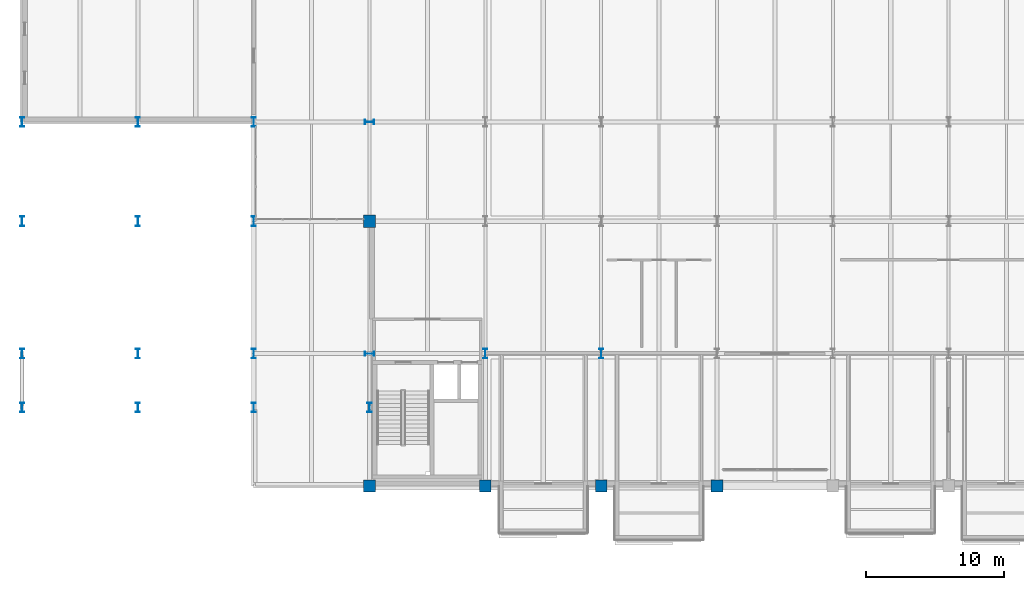
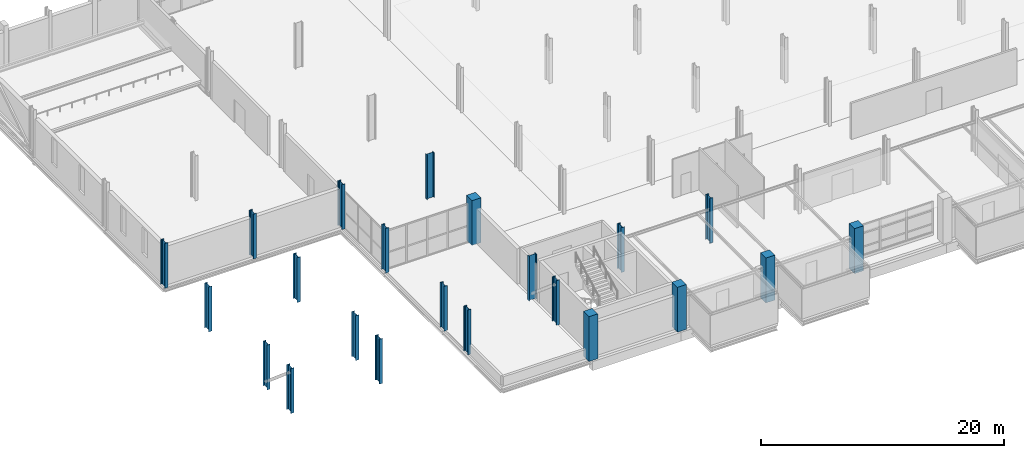
# One storey, part 1 of 113: 22 columns.
"""IFC4 building model written with IfcOpenShell, lengths in metres."""

from ifc_helpers import new_model, si_unit, direction, frame, origin, origin_2d, place, context, subcontext, project, spatial, rectangle, i_section, extrude, material, material_profile, profile_set, type_object, element, save


model = new_model("IFC4")

# Units and contexts
model_context = context("Model", 3, precision=1e-05, world=origin(), true_north=direction((0.0, 1.0)))
body_context = subcontext(model_context, "Body", "Model", "MODEL_VIEW")
ifc_project = project(units=[si_unit("LENGTHUNIT", "METRE"), si_unit("AREAUNIT", "SQUARE_METRE"), si_unit("VOLUMEUNIT", "CUBIC_METRE"), si_unit("PLANEANGLEUNIT", "RADIAN"), si_unit("MASSUNIT", "GRAM", prefix="KILO")], contexts=[model_context])

# Site, building, storey
site_placement = place(None, origin())
site = spatial("IfcSite", under=ifc_project, at=site_placement, CompositionType="ELEMENT")
building_placement = place(site_placement, origin())
building = spatial("IfcBuilding", under=site, at=building_placement, Name="Veltarok Museum of Natural Sciences", CompositionType="ELEMENT")
storey_placement = place(building_placement, frame((0.0, 0.0, 8.39990234375)))
storey = spatial("IfcBuildingStorey", under=building, at=storey_placement, Name="L01", CompositionType="ELEMENT", Elevation=8.39990234375)

# Columns
ifc_material_1 = material(Name="Concrete C40/50", Category="concrete")
ifc_material_profile_1 = material_profile(ifc_material_1, rectangle(XDim=0.85009765625, YDim=0.89990234375, at=origin_2d()), Name="RC 850x900")
ifc_profile_set_1 = profile_set([ifc_material_profile_1], Name="Concrete C40/50")
column_type_1 = type_object("IfcColumnType", Name="Exposed Cabinet Grid Column RC 850x900", PredefinedType="COLUMN", material=ifc_profile_set_1)
for number, where, z_axis, x_axis, name in (
    (1, (31.60009765625, 0.0, 0.0), (0.0, 0.0, 1.0), (1.0, 0.0, 0.0), "Column COL-CAB01 L01 4/A"),
    (2, (31.60009765625, 19.199951171875, 0.0), (0.0, 0.0, 1.0), (1.0, 0.0, 0.0), "Column COL-CAB01 L01 4/C"),
    (3, (40.0, 0.0, 0.0), (0.0, 0.0, 1.0), (1.0, 0.0, 0.0), "Column COL-CAB01 L01 5/A"),
    (4, (48.39990234375, 0.0, 0.0), (0.0, 0.0, 1.0), (1.0, 0.0, 0.0), "Column COL-CAB01 L01 6/A"),
    (5, (56.800048828125, 0.0, 0.0), (0.0, 0.0, 1.0), (1.0, 0.0, 0.0), "Column COL-CAB01 L01 7/A"),
):
    element("IfcColumn", number, at=place(storey_placement, frame(where, z_axis=z_axis, x_axis=x_axis)), inside=storey, type_object=column_type_1, Name=name, PredefinedType="COLUMN", context=body_context, shape_type="SweptSolid", body=[
        extrude(rectangle(XDim=0.85009765625, YDim=0.89990234375, at=origin_2d()), origin(), (0.0, 0.0, 1.0), 4.5),
    ])
ifc_material_2 = material(Name="Steel S355J2", Category="steel")
ifc_material_profile_2 = material_profile(ifc_material_2, i_section(OverallWidth=0.300048828125, OverallDepth=0.699951171875, WebThickness=0.01708984375, FlangeThickness=0.031982421875, FilletRadius=0.027099609375, at=origin_2d()), Name="HEB 700")
ifc_profile_set_2 = profile_set([ifc_material_profile_2], Name="Steel S355J2")
column_type_2 = type_object("IfcColumnType", Name="Mid-Rise Frame Column HEB 700", PredefinedType="COLUMN", material=ifc_profile_set_2)
for number, where, z_axis, x_axis, name in (
    (6, (31.60009765625, 26.39990234375, 0.0), (0.0, 0.0, 1.0), (0.0, 1.0, 0.0), "Column COL-S03 L01 4/D"),
    (7, (40.0, 9.60009765625, 0.0), (0.0, 0.0, 1.0), (1.0, 0.0, 0.0), "Column COL-S03 L01 5/B"),
    (8, (48.39990234375, 9.60009765625, 0.0), (0.0, 0.0, 1.0), (1.0, 0.0, 0.0), "Column COL-S03 L01 6/B"),
):
    element("IfcColumn", number, at=place(storey_placement, frame(where, z_axis=z_axis, x_axis=x_axis)), inside=storey, type_object=column_type_2, Name=name, PredefinedType="COLUMN", context=body_context, shape_type="SweptSolid", body=[
        extrude(i_section(OverallWidth=0.300048828125, OverallDepth=0.699951171875, WebThickness=0.01708984375, FlangeThickness=0.031982421875, FilletRadius=0.027099609375, at=origin_2d()), origin(), (0.0, 0.0, 1.0), 4.5),
    ])
ifc_material_profile_3 = material_profile(ifc_material_2, i_section(OverallWidth=0.300048828125, OverallDepth=0.699951171875, WebThickness=0.01708984375, FlangeThickness=0.031982421875, FilletRadius=0.027099609375, at=origin_2d()), Name="HEB 700")
ifc_profile_set_3 = profile_set([ifc_material_profile_3], Name="Steel S355J2")
column_type_3 = type_object("IfcColumnType", Name="Perimeter Steel Column HEB 700", PredefinedType="COLUMN", material=ifc_profile_set_3)
for number, where, z_axis, x_axis, name in (
    (9, (6.39990234375, 9.60009765625, 0.0), (0.0, 0.0, 1.0), (1.0, 0.0, 0.0), "Column COL-EXT01 L01 1/B"),
    (10, (6.39990234375, 19.199951171875, 0.0), (0.0, 0.0, 1.0), (1.0, 0.0, 0.0), "Column COL-EXT01 L01 1/C"),
    (11, (6.39990234375, 26.39990234375, 0.0), (0.0, 0.0, 1.0), (1.0, 0.0, 0.0), "Column COL-EXT01 L01 1/D"),
    (12, (14.800048828125, 9.60009765625, 0.0), (0.0, 0.0, 1.0), (1.0, 0.0, 0.0), "Column COL-EXT01 L01 2/B"),
    (13, (14.800048828125, 19.199951171875, 0.0), (0.0, 0.0, 1.0), (1.0, 0.0, 0.0), "Column COL-EXT01 L01 2/C"),
    (14, (14.800048828125, 26.39990234375, 0.0), (0.0, 0.0, 1.0), (1.0, 0.0, 0.0), "Column COL-EXT01 L01 2/D"),
    (15, (23.199951171875, 9.60009765625, 0.0), (0.0, 0.0, 1.0), (1.0, 0.0, 0.0), "Column COL-EXT01 L01 3/B"),
    (16, (23.199951171875, 19.199951171875, 0.0), (0.0, 0.0, 1.0), (1.0, 0.0, 0.0), "Column COL-EXT01 L01 3/C"),
    (17, (23.199951171875, 26.39990234375, 0.0), (0.0, 0.0, 1.0), (1.0, 0.0, 0.0), "Column COL-EXT01 L01 3/D"),
    (18, (31.60009765625, 9.60009765625, 0.0), (0.0, 0.0, 1.0), (0.0, 1.0, 0.0), "Column COL-EXT01 L01 4/B"),
    (19, (6.39990234375, 5.699951171875, 0.0), (0.0, 0.0, 1.0), (1.0, 0.0, 0.0), "Bridge South Pier L01 1"),
    (20, (14.800048828125, 5.699951171875, 0.0), (0.0, 0.0, 1.0), (1.0, 0.0, 0.0), "Bridge South Pier L01 2"),
    (21, (23.199951171875, 5.699951171875, 0.0), (0.0, 0.0, 1.0), (1.0, 0.0, 0.0), "Bridge South Pier L01 3"),
    (22, (31.60009765625, 5.699951171875, 0.0), (0.0, 0.0, 1.0), (1.0, 0.0, 0.0), "Bridge South Pier L01 4"),
):
    element("IfcColumn", number, at=place(storey_placement, frame(where, z_axis=z_axis, x_axis=x_axis)), inside=storey, type_object=column_type_3, Name=name, PredefinedType="COLUMN", context=body_context, shape_type="SweptSolid", body=[
        extrude(i_section(OverallWidth=0.300048828125, OverallDepth=0.699951171875, WebThickness=0.01708984375, FlangeThickness=0.031982421875, FilletRadius=0.027099609375, at=origin_2d()), origin(), (0.0, 0.0, 1.0), 4.5),
    ])

save(model, "model.ifc")
